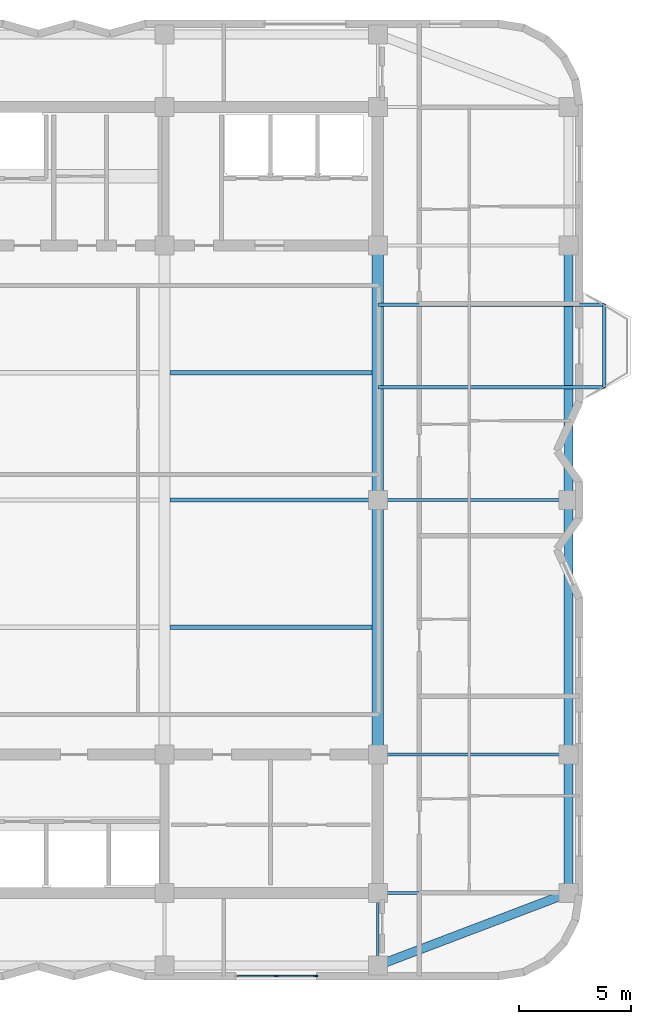
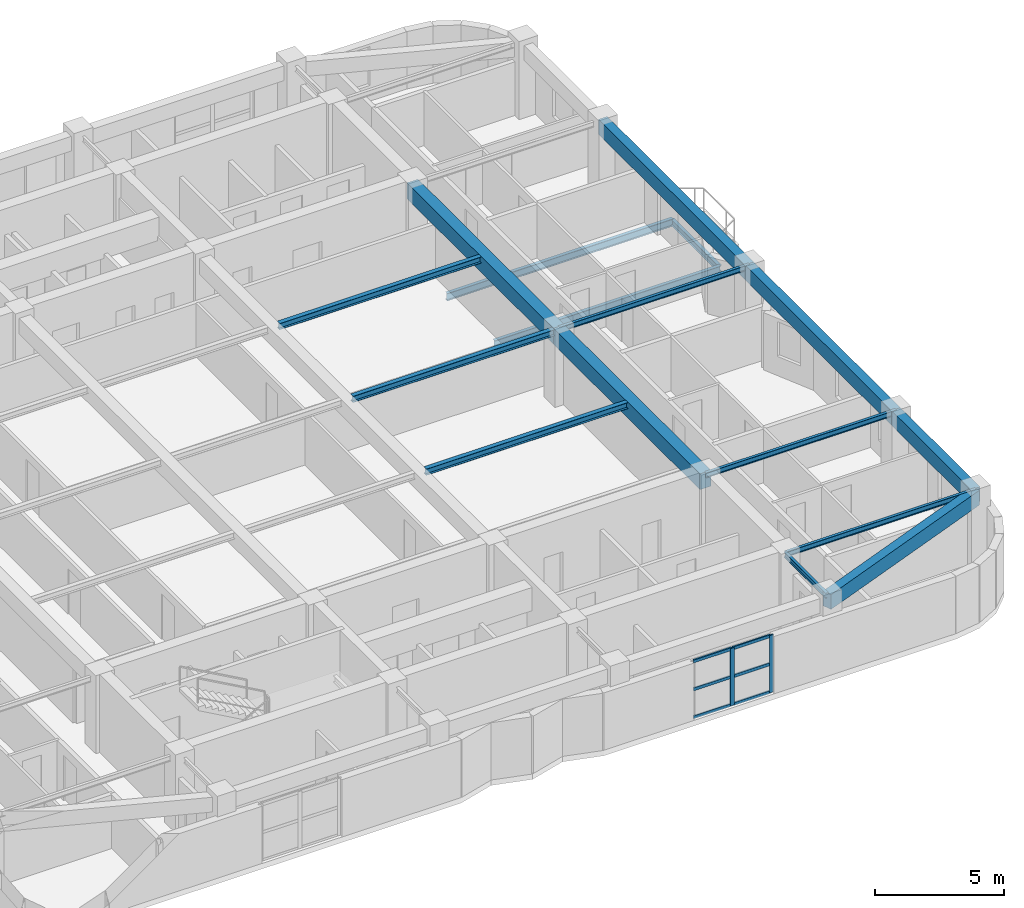
# One storey, part 4 of 14: 16 beams, 8 members, 1 element without a shape of its own.
"""IFC4 building model written with IfcOpenShell, lengths in metres."""

from ifc_helpers import new_model, si_unit, direction, frame, origin, origin_2d, place, context, subcontext, project, spatial, rectangle, i_section, extrude, material, material_profile, profile_set, type_object, element, aggregate, save


model = new_model("IFC4")

# Units and contexts
model_context = context("Model", 3, precision=1e-05, world=origin(), true_north=direction((0.0, 1.0)))
body_context = subcontext(model_context, "Body", "Model", "MODEL_VIEW")
ifc_project = project(units=[si_unit("LENGTHUNIT", "METRE"), si_unit("AREAUNIT", "SQUARE_METRE"), si_unit("VOLUMEUNIT", "CUBIC_METRE"), si_unit("PLANEANGLEUNIT", "RADIAN"), si_unit("MASSUNIT", "GRAM", prefix="KILO")], contexts=[model_context])

# Site, building, storey
site_placement = place(None, origin())
site = spatial("IfcSite", under=ifc_project, at=site_placement, CompositionType="ELEMENT")
building_placement = place(site_placement, origin())
building = spatial("IfcBuilding", under=site, at=building_placement, Name="Svetorya Sky Lyceum", CompositionType="ELEMENT")
storey_placement = place(building_placement, frame((0.0, 0.0, 218.39990234375)))
storey = spatial("IfcBuildingStorey", under=building, at=storey_placement, Name="L54", CompositionType="ELEMENT", Elevation=218.39990234375)

# Beams
ifc_material_1 = material(Name="Concrete C50/60", Category="concrete")
ifc_material_profile_1 = material_profile(ifc_material_1, rectangle(XDim=0.5, YDim=0.75, at=origin_2d()), Name="RC BEAM 500x750")
ifc_profile_set_1 = profile_set([ifc_material_profile_1], Name="Concrete C50/60")
beam_type_1 = type_object("IfcBeamType", Name="BM-RC-750", PredefinedType="BEAM", material=ifc_profile_set_1)
beam_1_placement = place(storey_placement, frame((52.800048828125, 16.800048828125, 3.065185546875), z_axis=(0.0, 1.0, 0.0), x_axis=(-1.0, 0.0, 0.0)))
element("IfcBeam", 1, at=beam_1_placement, inside=storey, type_object=beam_type_1, Name="L54 Central Bay Primary Girder CG-4A", PredefinedType="BEAM", context=body_context, shape_type="SweptSolid", body=[
    extrude(rectangle(XDim=0.5, YDim=0.75, at=origin_2d()), origin(), (0.0, 0.0, 1.0), 11.39990234375),
])
beam_2_placement = place(storey_placement, frame((52.800048828125, 28.199951171875, 3.065185546875), z_axis=(0.0, 1.0, 0.0), x_axis=(-1.0, 0.0, 0.0)))
element("IfcBeam", 2, at=beam_2_placement, inside=storey, type_object=beam_type_1, Name="L54 Central Bay Primary Girder CG-4B", PredefinedType="BEAM", context=body_context, shape_type="SweptSolid", body=[
    extrude(rectangle(XDim=0.5, YDim=0.75, at=origin_2d()), origin(), (0.0, 0.0, 1.0), 11.400146484375),
])
ifc_material_profile_2 = material_profile(ifc_material_1, rectangle(XDim=0.39990234375, YDim=0.699951171875, at=origin_2d()), Name="RC SPANDREL 400x700")
ifc_profile_set_2 = profile_set([ifc_material_profile_2], Name="Concrete C50/60")
beam_type_2 = type_object("IfcBeamType", Name="BM-SPN-700", PredefinedType="SPANDREL", material=ifc_profile_set_2)
beam_3_placement = place(storey_placement, frame((52.800048828125, 7.35009765625, 3.090087890625), z_axis=(0.934747947367, 0.355311518099, 0.0), x_axis=(-0.355311518099, 0.934747947367, 0.0)))
element("IfcBeam", 3, at=beam_3_placement, inside=storey, type_object=beam_type_2, Name="L54 Corner Spandrel 2", PredefinedType="SPANDREL", context=body_context, shape_type="SweptSolid", body=[
    extrude(rectangle(XDim=0.39990234375, YDim=0.699951171875, at=origin_2d()), origin(), (0.0, 0.0, 1.0), 9.14697265625),
])
beam_4_placement = place(storey_placement, frame((61.35009765625, 10.60009765625, 3.090087890625), z_axis=(0.0, 1.0, 0.0), x_axis=(-1.0, 0.0, 0.0)))
element("IfcBeam", 4, at=beam_4_placement, inside=storey, type_object=beam_type_2, Name="L54 East Spandrel 1", PredefinedType="SPANDREL", context=body_context, shape_type="SweptSolid", body=[
    extrude(rectangle(XDim=0.39990234375, YDim=0.699951171875, at=origin_2d()), origin(), (0.0, 0.0, 1.0), 6.199951171875),
])
beam_5_placement = place(storey_placement, frame((61.35009765625, 16.800048828125, 3.090087890625), z_axis=(0.0, 1.0, 0.0), x_axis=(-1.0, 0.0, 0.0)))
element("IfcBeam", 5, at=beam_5_placement, inside=storey, type_object=beam_type_2, Name="L54 East Spandrel 2", PredefinedType="SPANDREL", context=body_context, shape_type="SweptSolid", body=[
    extrude(rectangle(XDim=0.39990234375, YDim=0.699951171875, at=origin_2d()), origin(), (0.0, 0.0, 1.0), 11.39990234375),
])
beam_6_placement = place(storey_placement, frame((61.35009765625, 28.199951171875, 3.090087890625), z_axis=(0.0, 1.0, 0.0), x_axis=(-1.0, 0.0, 0.0)))
element("IfcBeam", 6, at=beam_6_placement, inside=storey, type_object=beam_type_2, Name="L54 East Spandrel 3", PredefinedType="SPANDREL", context=body_context, shape_type="SweptSolid", body=[
    extrude(rectangle(XDim=0.39990234375, YDim=0.699951171875, at=origin_2d()), origin(), (0.0, 0.0, 1.0), 11.400146484375),
])
ifc_material_2 = material(Name="Steel S355", Category="steel")
ifc_material_profile_3 = material_profile(ifc_material_2, i_section(OverallWidth=0.1240234375, OverallDepth=0.248046875, WebThickness=0.006103515625, FlangeThickness=0.009521484375, at=origin_2d()), Name="GOST 25B2")
ifc_profile_set_3 = profile_set([ifc_material_profile_3], Name="Steel S355")
beam_type_3 = type_object("IfcBeamType", Name="BM-STL-25B2", PredefinedType="JOIST", material=ifc_profile_set_3)
for number, where, z_axis, x_axis, name in (
    (7, (52.800048828125, 10.60009765625, 3.316162109375), (1.0, 0.0, 0.0), (0.0, 1.0, 0.0), "L54 East Wing Floor Joist E1"),
    (8, (52.800048828125, 16.800048828125, 3.316162109375), (1.0, 0.0, 0.0), (0.0, 1.0, 0.0), "L54 East Wing Floor Joist E2"),
    (9, (52.800048828125, 28.199951171875, 3.316162109375), (1.0, 0.0, 0.0), (0.0, 1.0, 0.0), "L54 East Wing Floor Joist E3"),
):
    element("IfcBeam", number, at=place(storey_placement, frame(where, z_axis=z_axis, x_axis=x_axis)), inside=storey, type_object=beam_type_3, Name=name, PredefinedType="JOIST", context=body_context, shape_type="SweptSolid", body=[
        extrude(i_section(OverallWidth=0.1240234375, OverallDepth=0.248046875, WebThickness=0.006103515625, FlangeThickness=0.009521484375, at=origin_2d()), origin(), (0.0, 0.0, 1.0), 8.550048828125),
    ])
beam_7_placement = place(storey_placement, frame((52.800048828125, 7.35009765625, 3.316162109375), z_axis=(0.0, 1.0, 0.0), x_axis=(-1.0, 0.0, 0.0)))
element("IfcBeam", 10, at=beam_7_placement, inside=storey, type_object=beam_type_3, Name="L54 South Bay Floor Girder S4", PredefinedType="JOIST", context=body_context, shape_type="SweptSolid", body=[
    extrude(i_section(OverallWidth=0.1240234375, OverallDepth=0.248046875, WebThickness=0.006103515625, FlangeThickness=0.009521484375, at=origin_2d()), origin(), (0.0, 0.0, 1.0), 3.25),
])
ifc_material_profile_4 = material_profile(ifc_material_2, i_section(OverallWidth=0.14990234375, OverallDepth=0.299072265625, WebThickness=0.006591796875, FlangeThickness=0.010498046875, at=origin_2d()), Name="GOST 30B2")
ifc_profile_set_4 = profile_set([ifc_material_profile_4], Name="Steel S355")
beam_type_4 = type_object("IfcBeamType", Name="BM-STL-30B2", PredefinedType="JOIST", material=ifc_profile_set_4)
beam_8_placement = place(storey_placement, frame((62.949951171875, 33.25, -0.434326171875), z_axis=(0.0, 1.0, 0.0), x_axis=(-1.0, 0.0, 0.0)))
element("IfcBeam", 11, at=beam_8_placement, inside=storey, type_object=beam_type_4, Name="L54 Balcony Edge Tie BAL-E1", PredefinedType="JOIST", context=body_context, shape_type="SweptSolid", body=[
    extrude(i_section(OverallWidth=0.14990234375, OverallDepth=0.299072265625, WebThickness=0.006591796875, FlangeThickness=0.010498046875, at=origin_2d()), origin(), (0.0, 0.0, 1.0), 3.699951171875),
])
ifc_material_profile_5 = material_profile(ifc_material_2, i_section(OverallWidth=0.199951171875, OverallDepth=0.298095703125, WebThickness=0.008544921875, FlangeThickness=0.012939453125, at=origin_2d()), Name="GOST 30Sh2")
ifc_profile_set_5 = profile_set([ifc_material_profile_5], Name="Steel S355")
beam_type_5 = type_object("IfcBeamType", Name="BM-STL-30SH2", PredefinedType="BEAM", material=ifc_profile_set_5)
for number, where, z_axis, x_axis, name in (
    (12, (43.5, 22.5, 3.291015625), (1.0, 0.0, 0.0), (0.0, 1.0, 0.0), "L54 Central Floor Joist CJ-1.3"),
    (13, (43.5, 28.199951171875, 3.291015625), (1.0, 0.0, 0.0), (0.0, 1.0, 0.0), "L54 Central Floor Joist CJ-2.3"),
    (14, (43.5, 33.89990234375, 3.291015625), (1.0, 0.0, 0.0), (0.0, 1.0, 0.0), "L54 Central Floor Joist CJ-3.3"),
):
    element("IfcBeam", number, at=place(storey_placement, frame(where, z_axis=z_axis, x_axis=x_axis)), inside=storey, type_object=beam_type_5, Name=name, PredefinedType="BEAM", context=body_context, shape_type="SweptSolid", body=[
        extrude(i_section(OverallWidth=0.199951171875, OverallDepth=0.298095703125, WebThickness=0.008544921875, FlangeThickness=0.012939453125, at=origin_2d()), origin(), (0.0, 0.0, 1.0), 9.050048828125),
    ])
ifc_material_profile_6 = material_profile(ifc_material_2, i_section(OverallWidth=0.155029296875, OverallDepth=0.34912109375, WebThickness=0.007080078125, FlangeThickness=0.011474609375, at=origin_2d()), Name="GOST 35B2")
ifc_profile_set_6 = profile_set([ifc_material_profile_6], Name="Steel S355")
beam_type_6 = type_object("IfcBeamType", Name="BM-STL-35B2", PredefinedType="JOIST", material=ifc_profile_set_6)
for number, where, z_axis, x_axis, name in (
    (15, (52.800048828125, 33.25, -0.434326171875), (1.0, 0.0, 0.0), (0.0, 1.0, 0.0), "L54 Balcony Cantilever Beam BAL-E1-1"),
    (16, (52.800048828125, 36.949951171875, -0.434326171875), (1.0, 0.0, 0.0), (0.0, 1.0, 0.0), "L54 Balcony Cantilever Beam BAL-E1-2"),
):
    element("IfcBeam", number, at=place(storey_placement, frame(where, z_axis=z_axis, x_axis=x_axis)), inside=storey, type_object=beam_type_6, Name=name, PredefinedType="JOIST", context=body_context, shape_type="SweptSolid", body=[
        extrude(i_section(OverallWidth=0.155029296875, OverallDepth=0.34912109375, WebThickness=0.007080078125, FlangeThickness=0.011474609375, at=origin_2d()), origin(), (0.0, 0.0, 1.0), 10.14990234375),
    ])

# Curtain wall, members
ifc_material_3 = material(Name="Thermally broken anodized aluminium and triple low-E glass", Category="aluminium")
curtain_wall_type = type_object("IfcCurtainWallType", Name="CW3-LOG-RES", PredefinedType="NOTDEFINED", material=ifc_material_3)
curtain_wall_placement = place(storey_placement, origin())
curtain_wall = element("IfcCurtainWall", 17, at=curtain_wall_placement, inside=storey, type_object=curtain_wall_type, Name="L54 Recessed Loggia Curtain Wall 11", PredefinedType="NOTDEFINED")
ifc_material_4 = material(Name="Thermally broken anodized aluminium EN AW-6060", Category="aluminium")
ifc_material_profile_7 = material_profile(ifc_material_4, rectangle(XDim=0.06494140625, YDim=0.179931640625, at=origin_2d()), Name="ALU MULLION 65x180")
ifc_profile_set_7 = profile_set([ifc_material_profile_7], Name="Thermally broken anodized aluminium EN AW-6060")
member_type_1 = type_object("IfcMemberType", Name="CWM-MUL-180", PredefinedType="MULLION", material=ifc_profile_set_7)
member_1_placement = place(storey_placement, frame((48.25, 6.8701171875, 0.0), z_axis=(0.0, 0.0, 1.0), x_axis=(0.0, 1.0, 0.0)))
member_1 = element("IfcMember", 18, at=member_1_placement, type_object=member_type_1, Name="CW-3 mullion 2", PredefinedType="MULLION", context=body_context, shape_type="SweptSolid", body=[
    extrude(rectangle(XDim=0.06494140625, YDim=0.179931640625, at=origin_2d()), origin(), (0.0, 0.0, 1.0), 2.72021484375),
])
member_2_placement = place(storey_placement, frame((50.017578125, 6.8701171875, 0.0), z_axis=(0.0, 0.0, 1.0), x_axis=(0.0, 1.0, 0.0)))
member_2 = element("IfcMember", 19, at=member_2_placement, type_object=member_type_1, Name="CW-3 mullion 3", PredefinedType="MULLION", context=body_context, shape_type="SweptSolid", body=[
    extrude(rectangle(XDim=0.06494140625, YDim=0.179931640625, at=origin_2d()), origin(), (0.0, 0.0, 1.0), 2.72021484375),
])
ifc_material_profile_8 = material_profile(ifc_material_4, rectangle(XDim=0.06494140625, YDim=0.139892578125, at=origin_2d()), Name="ALU TRANSOM 65x140")
ifc_profile_set_8 = profile_set([ifc_material_profile_8], Name="Thermally broken anodized aluminium EN AW-6060")
member_type_2 = type_object("IfcMemberType", Name="CWM-TRN-140", PredefinedType="USERDEFINED", material=ifc_profile_set_8)
member_3_placement = place(storey_placement, frame((46.513427734375, 6.8701171875, 0.03271484375), z_axis=(1.0, 0.0, 0.0), x_axis=(0.0, 1.0, 0.0)))
member_3 = element("IfcMember", 20, at=member_3_placement, type_object=member_type_2, Name="CW-3 transom 1.1", ObjectType="TRANSOM", PredefinedType="USERDEFINED", context=body_context, shape_type="SweptSolid", body=[
    extrude(rectangle(XDim=0.06494140625, YDim=0.139892578125, at=origin_2d()), origin(), (0.0, 0.0, 1.0), 1.70556640625),
])
member_4_placement = place(storey_placement, frame((46.513427734375, 6.8701171875, 1.360107421875), z_axis=(1.0, 0.0, 0.0), x_axis=(0.0, 1.0, 0.0)))
member_4 = element("IfcMember", 21, at=member_4_placement, type_object=member_type_2, Name="CW-3 transom 1.2", ObjectType="TRANSOM", PredefinedType="USERDEFINED", context=body_context, shape_type="SweptSolid", body=[
    extrude(rectangle(XDim=0.06494140625, YDim=0.139892578125, at=origin_2d()), origin(), (0.0, 0.0, 1.0), 1.70556640625),
])
member_5_placement = place(storey_placement, frame((46.513427734375, 6.8701171875, 2.6875), z_axis=(1.0, 0.0, 0.0), x_axis=(0.0, 1.0, 0.0)))
member_5 = element("IfcMember", 22, at=member_5_placement, type_object=member_type_2, Name="CW-3 transom 1.3", ObjectType="TRANSOM", PredefinedType="USERDEFINED", context=body_context, shape_type="SweptSolid", body=[
    extrude(rectangle(XDim=0.06494140625, YDim=0.139892578125, at=origin_2d()), origin(), (0.0, 0.0, 1.0), 1.70556640625),
])
member_6_placement = place(storey_placement, frame((48.281005859375, 6.8701171875, 0.03271484375), z_axis=(1.0, 0.0, 0.0), x_axis=(0.0, 1.0, 0.0)))
member_6 = element("IfcMember", 23, at=member_6_placement, type_object=member_type_2, Name="CW-3 transom 2.1", ObjectType="TRANSOM", PredefinedType="USERDEFINED", context=body_context, shape_type="SweptSolid", body=[
    extrude(rectangle(XDim=0.06494140625, YDim=0.139892578125, at=origin_2d()), origin(), (0.0, 0.0, 1.0), 1.70556640625),
])
member_7_placement = place(storey_placement, frame((48.281005859375, 6.8701171875, 1.360107421875), z_axis=(1.0, 0.0, 0.0), x_axis=(0.0, 1.0, 0.0)))
member_7 = element("IfcMember", 24, at=member_7_placement, type_object=member_type_2, Name="CW-3 transom 2.2", ObjectType="TRANSOM", PredefinedType="USERDEFINED", context=body_context, shape_type="SweptSolid", body=[
    extrude(rectangle(XDim=0.06494140625, YDim=0.139892578125, at=origin_2d()), origin(), (0.0, 0.0, 1.0), 1.70556640625),
])
member_8_placement = place(storey_placement, frame((48.281005859375, 6.8701171875, 2.6875), z_axis=(1.0, 0.0, 0.0), x_axis=(0.0, 1.0, 0.0)))
member_8 = element("IfcMember", 25, at=member_8_placement, type_object=member_type_2, Name="CW-3 transom 2.3", ObjectType="TRANSOM", PredefinedType="USERDEFINED", context=body_context, shape_type="SweptSolid", body=[
    extrude(rectangle(XDim=0.06494140625, YDim=0.139892578125, at=origin_2d()), origin(), (0.0, 0.0, 1.0), 1.70556640625),
])
aggregate(curtain_wall, [member_1, member_2, member_3, member_4, member_5, member_6, member_7, member_8])

save(model, "model.ifc")
